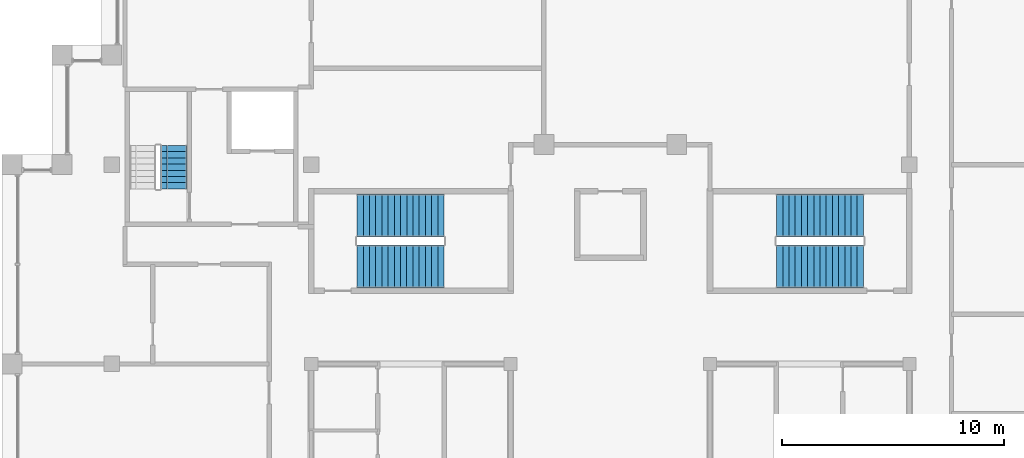
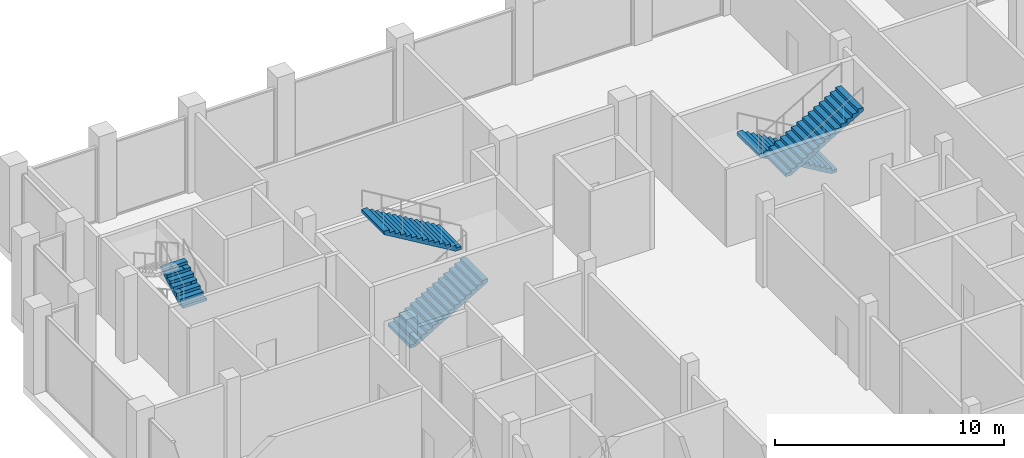
# One storey, part 11 of 12: 5 stair flights, 3 elements without a shape of their own.
"""IFC4 building model written with IfcOpenShell, lengths in metres."""

import ifcopenshell
import ifcopenshell.guid

model = None  # the IFC model being written
_history = None  # IfcOwnerHistory: only IFC2X3 demands one
_inside = {}  # id of a spatial element -> (the spatial element, [elements in it])
_under = {}  # id of a project, library or spatial element -> (it, [spatial elements below it])
_declared = {}  # id of a project -> (the project, [libraries it declares])
_typed = {}  # id of a type object -> (the type object, [elements of that type])
_made_of = {}  # id of a material, layer set ... -> (it, [elements and type objects made of it])


def new_model(schema):
    """Start an empty IFC model of exactly this schema.

    Asked for "IFC4X3", IfcOpenShell would pick the latest addendum, in which some entities
    have other attributes; the version numbers below select the first issue.
    IFC2X3 requires an IfcOwnerHistory on every rooted entity: one is made here for all.
    """
    global model, _history
    if schema == "IFC4X3":
        model = ifcopenshell.file(schema_version=(4, 3, 0, 0))
    else:
        model = ifcopenshell.file(schema=schema)
    _inside.clear()
    _under.clear()
    _declared.clear()
    _typed.clear()
    _made_of.clear()
    _history = None
    if model.schema == "IFC2X3":
        org = make("IfcOrganization", Name="unknown")
        user = make(
            "IfcPersonAndOrganization",
            ThePerson=make("IfcPerson", FamilyName="unknown"),
            TheOrganization=org,
        )
        app = make(
            "IfcApplication",
            ApplicationDeveloper=org,
            Version="unknown",
            ApplicationFullName="unknown",
            ApplicationIdentifier="unknown",
        )
        _history = make(
            "IfcOwnerHistory",
            OwningUser=user,
            OwningApplication=app,
            ChangeAction="ADDED",
            CreationDate=0,
        )
    return model


def make(cls, **values):
    """One entity of the class cls with the attributes given. An attribute that is None is left unset."""
    return model.create_entity(
        cls, **{name: value for name, value in values.items() if value is not None}
    )


def rooted(cls, **values):
    """An entity with a GlobalId (a new one), such as an element, a storey or a relation."""
    return make(cls, GlobalId=ifcopenshell.guid.new(), OwnerHistory=_history, **values)


def si_unit(unit_type, name, prefix=None):
    """IfcSIUnit, for example si_unit("LENGTHUNIT", "METRE", prefix="MILLI")."""
    return make("IfcSIUnit", UnitType=unit_type, Prefix=prefix, Name=name)


def assignment(units):
    """IfcUnitAssignment: the units of a project."""
    return None if units is None else make("IfcUnitAssignment", Units=units)


def point(xyz):
    """IfcCartesianPoint."""
    return None if xyz is None else make("IfcCartesianPoint", Coordinates=xyz)


def direction(xyz):
    """IfcDirection."""
    return None if xyz is None else make("IfcDirection", DirectionRatios=xyz)


def frame(location, z_axis=None, x_axis=None):
    """IfcAxis2Placement3D, a coordinate frame: its origin and axes. An axis left out is left unset."""
    return make(
        "IfcAxis2Placement3D",
        Location=point(location),
        Axis=direction(z_axis),
        RefDirection=direction(x_axis),
    )


def origin():
    """The frame at (0, 0, 0) with its axes left unset."""
    return frame((0.0, 0.0, 0.0))


def place(relative_to, where):
    """IfcLocalPlacement: puts the frame where relative to a parent placement (None: the world)."""
    return make(
        "IfcLocalPlacement", PlacementRelTo=relative_to, RelativePlacement=where
    )


def context(
    kind, dimensions, precision=None, world=None, true_north=None, identifier=None
):
    """IfcGeometricRepresentationContext, for example the 3D "Model" context."""
    return make(
        "IfcGeometricRepresentationContext",
        ContextIdentifier=identifier,
        ContextType=kind,
        CoordinateSpaceDimension=dimensions,
        Precision=precision,
        WorldCoordinateSystem=world,
        TrueNorth=true_north,
    )


def subcontext(parent, identifier, kind, view, scale=None):
    """IfcGeometricRepresentationSubContext, for example "Body" below "Model"."""
    return make(
        "IfcGeometricRepresentationSubContext",
        ContextIdentifier=identifier,
        ContextType=kind,
        ParentContext=parent,
        TargetScale=scale,
        TargetView=view,
    )


def project(units=None, contexts=None):
    """IfcProject with its units and contexts."""
    return rooted(
        "IfcProject",
        Name="project",
        RepresentationContexts=contexts,
        UnitsInContext=assignment(units),
    )


def spatial(cls, under=None, at=None, **own):
    """A site, building, storey or space (cls), placed at a placement, below another one or the project."""
    s = rooted(cls, ObjectPlacement=at, **own)
    if under is not None:
        _under.setdefault(under.id(), (under, []))[1].append(s)
    return s


def polyline(points):
    """IfcPolyline through the points."""
    return make("IfcPolyline", Points=[point(p) for p in points])


def outline(outer, holes=None, kind="AREA"):
    """IfcArbitraryClosedProfileDef: a profile drawn as a closed curve; with holes, ...WithVoids."""
    if holes is None:
        return make("IfcArbitraryClosedProfileDef", ProfileType=kind, OuterCurve=outer)
    return make(
        "IfcArbitraryProfileDefWithVoids",
        ProfileType=kind,
        OuterCurve=outer,
        InnerCurves=holes,
    )


def extrude(swept, where, along, depth):
    """IfcExtrudedAreaSolid: the profile swept, set in the frame where, extruded along a direction by depth."""
    return make(
        "IfcExtrudedAreaSolid",
        SweptArea=swept,
        Position=where,
        ExtrudedDirection=direction(along),
        Depth=depth,
    )


def shape(context_of_items, identifier, shape_type, items):
    """IfcShapeRepresentation: the items that make up one representation, for example the "Body"."""
    return make(
        "IfcShapeRepresentation",
        ContextOfItems=context_of_items,
        RepresentationIdentifier=identifier,
        RepresentationType=shape_type,
        Items=items,
    )


def material(Name=None, Category=None):
    """IfcMaterial."""
    return make("IfcMaterial", Name=Name, Category=Category)


def made_of(thing, what):
    """Note that an element or type object is made of a material, layer set ...; save() writes the relation."""
    if what is not None:
        _made_of.setdefault(what.id(), (what, []))[1].append(thing)
    return thing


def type_object(cls, material=None, **own):
    """A type object (cls), such as IfcWallType, which elements share."""
    return made_of(rooted(cls, **own), material)


def element(
    cls,
    number,
    at=None,
    inside=None,
    cuts=None,
    type_object=None,
    material=None,
    context=None,
    identifier="Body",
    shape_type=None,
    held_by="IfcProductDefinitionShape",
    body=None,
    shapes=None,
    **own,
):
    """One element of the class cls, such as IfcWall. Its Tag is "e" and its number.

    at: its placement. inside: the storey or other place that contains it. cuts: it is an
    opening in that element (IfcRelVoidsElement). A single representation is given by context,
    identifier, shape_type and body (its items); several are given by shapes. held_by: the class
    of the entity that holds the representations. save() writes the other relations.
    """
    e = rooted(cls, Tag="e%d" % number, ObjectPlacement=at, **own)
    if body is not None:
        shapes = [shape(context, identifier, shape_type, body)]
    if shapes is not None:
        e.Representation = make(held_by, Representations=shapes)
    if inside is not None:
        _inside.setdefault(inside.id(), (inside, []))[1].append(e)
    if cuts is not None:
        rooted(
            "IfcRelVoidsElement", RelatingBuildingElement=cuts, RelatedOpeningElement=e
        )
    if type_object is not None:
        _typed.setdefault(type_object.id(), (type_object, []))[1].append(e)
    return made_of(e, material)


def aggregate(whole, parts):
    """IfcRelAggregates: a whole, such as a stair, and the parts it consists of."""
    return rooted("IfcRelAggregates", RelatingObject=whole, RelatedObjects=parts)


def save(model, path):
    """Write the relations noted so far, then the file.

    IfcRelAggregates (storeys below a building ...), IfcRelContainedInSpatialStructure (elements
    in a storey), IfcRelDefinesByType, IfcRelAssociatesMaterial and IfcRelDeclares: one each for
    every whole, place, type object, material and project.
    """
    for whole, parts in _under.values():
        aggregate(whole, parts)
    for where, things in _inside.values():
        rooted(
            "IfcRelContainedInSpatialStructure",
            RelatedElements=things,
            RelatingStructure=where,
        )
    for kind, things in _typed.values():
        rooted("IfcRelDefinesByType", RelatedObjects=things, RelatingType=kind)
    for what, things in _made_of.values():
        rooted("IfcRelAssociatesMaterial", RelatedObjects=things, RelatingMaterial=what)
    for by, libraries in _declared.values():
        rooted("IfcRelDeclares", RelatingContext=by, RelatedDefinitions=libraries)
    model.write(path)


model = new_model("IFC4")

# Units and contexts
model_context = context("Model", 3, precision=1e-05, world=origin(), true_north=direction((0.0, 1.0)))
body_context = subcontext(model_context, "Body", "Model", "MODEL_VIEW")
ifc_project = project(units=[si_unit("LENGTHUNIT", "METRE"), si_unit("AREAUNIT", "SQUARE_METRE"), si_unit("VOLUMEUNIT", "CUBIC_METRE"), si_unit("PLANEANGLEUNIT", "RADIAN"), si_unit("MASSUNIT", "GRAM", prefix="KILO")], contexts=[model_context])

# Site, building, storey
site_placement = place(None, origin())
site = spatial("IfcSite", under=ifc_project, at=site_placement, CompositionType="ELEMENT")
building_placement = place(site_placement, origin())
building = spatial("IfcBuilding", under=site, at=building_placement, Name="Corbelhall Arena Tower", CompositionType="ELEMENT")
storey_placement = place(building_placement, frame((0.0, 0.0, 356.0)))
storey = spatial("IfcBuildingStorey", under=building, at=storey_placement, Name="L78", CompositionType="ELEMENT", Elevation=356.0)

# Stair, stair flights
ifc_material = material(Name="Concrete C40/50", Category="concrete")
stair_type = type_object("IfcStairType", Name="IN-ST-TOWER", PredefinedType="HALF_TURN_STAIR", material=ifc_material)
stair_1_placement = place(storey_placement, origin())
stair_1 = element("IfcStair", 1, at=stair_1_placement, inside=storey, type_object=stair_type, Name="L78 Exit stair ST1", PredefinedType="HALF_TURN_STAIR")
stair_flight_type = type_object("IfcStairFlightType", Name="IN-SFL-RC", PredefinedType="STRAIGHT", material=ifc_material)
stair_flight_1_placement = place(storey_placement, frame((-11.425048828125, 13.39990234375, 0.0), z_axis=(0.0, 0.0, 1.0), x_axis=(1.0, 0.0, 0.0)))
stair_flight_1 = element("IfcStairFlight", 2, at=stair_flight_1_placement, type_object=stair_flight_type, Name="ST1 flight 1", NumberOfRisers=15, NumberOfTreads=14, PredefinedType="STRAIGHT", RiserHeight=0.166666667, TreadLength=0.28, context=body_context, shape_type="SweptSolid", body=[
    extrude(outline(polyline([(0.0, 0.0), (0.0, 0.166748046875), (0.280029296875, 0.166748046875), (0.280029296875, 0.333251953125), (0.56005859375, 0.333251953125), (0.56005859375, 0.5), (0.840087890625, 0.5), (0.840087890625, 0.666748046875), (1.1201171875, 0.666748046875), (1.1201171875, 0.833251953125), (1.39990234375, 0.833251953125), (1.39990234375, 1.0), (1.679931640625, 1.0), (1.679931640625, 1.166748046875), (1.9599609375, 1.166748046875), (1.9599609375, 1.333251953125), (2.239990234375, 1.333251953125), (2.239990234375, 1.5), (2.52001953125, 1.5), (2.52001953125, 1.666748046875), (2.800048828125, 1.666748046875), (2.800048828125, 1.833251953125), (3.080078125, 1.833251953125), (3.080078125, 2.0), (3.360107421875, 2.0), (3.360107421875, 2.166748046875), (3.639892578125, 2.166748046875), (3.639892578125, 2.333251953125), (3.919921875, 2.333251953125), (3.919921875, 2.5), (3.919921875, 2.158935546875), (0.29296875, 0.0), (0.0, 0.0)])), frame((0.0, 0.97509765625, 0.0), z_axis=(0.0, -1.0, 0.0), x_axis=(1.0, 0.0, 0.0)), (0.0, 0.0, 1.0), 1.949951171875),
])
stair_flight_2_placement = place(storey_placement, frame((-7.5048828125, 15.699951171875, 2.5), z_axis=(0.0, 0.0, 1.0), x_axis=(-1.0, 0.0, 0.0)))
stair_flight_2 = element("IfcStairFlight", 3, at=stair_flight_2_placement, type_object=stair_flight_type, Name="ST1 flight 2", NumberOfRisers=15, NumberOfTreads=14, PredefinedType="STRAIGHT", RiserHeight=0.166666667, TreadLength=0.28, context=body_context, shape_type="SweptSolid", body=[
    extrude(outline(polyline([(0.0, 0.0), (0.0, 0.166748046875), (0.280029296875, 0.166748046875), (0.280029296875, 0.333251953125), (0.56005859375, 0.333251953125), (0.56005859375, 0.5), (0.840087890625, 0.5), (0.840087890625, 0.666748046875), (1.1201171875, 0.666748046875), (1.1201171875, 0.833251953125), (1.39990234375, 0.833251953125), (1.39990234375, 1.0), (1.679931640625, 1.0), (1.679931640625, 1.166748046875), (1.9599609375, 1.166748046875), (1.9599609375, 1.333251953125), (2.239990234375, 1.333251953125), (2.239990234375, 1.5), (2.52001953125, 1.5), (2.52001953125, 1.666748046875), (2.800048828125, 1.666748046875), (2.800048828125, 1.833251953125), (3.080078125, 1.833251953125), (3.080078125, 2.0), (3.360107421875, 2.0), (3.360107421875, 2.166748046875), (3.639892578125, 2.166748046875), (3.639892578125, 2.333251953125), (3.919921875, 2.333251953125), (3.919921875, 2.5), (3.919921875, 2.158935546875), (0.29296875, 0.0), (0.0, 0.0)])), frame((0.0, 0.97509765625, 0.0), z_axis=(0.0, -1.0, 0.0), x_axis=(1.0, 0.0, 0.0)), (0.0, 0.0, 1.0), 1.949951171875),
])
aggregate(stair_1, [stair_flight_1, stair_flight_2])

stair_2_placement = place(storey_placement, origin())
stair_2 = element("IfcStair", 4, at=stair_2_placement, inside=storey, type_object=stair_type, Name="L78 Exit stair ST3", PredefinedType="HALF_TURN_STAIR")
stair_flight_3_placement = place(storey_placement, frame((11.425048828125, 15.699951171875, 0.0), z_axis=(0.0, 0.0, 1.0), x_axis=(-1.0, 0.0, 0.0)))
stair_flight_3 = element("IfcStairFlight", 5, at=stair_flight_3_placement, type_object=stair_flight_type, Name="ST3 flight 1", NumberOfRisers=15, NumberOfTreads=14, PredefinedType="STRAIGHT", RiserHeight=0.166666667, TreadLength=0.28, context=body_context, shape_type="SweptSolid", body=[
    extrude(outline(polyline([(0.0, 0.0), (0.0, 0.166748046875), (0.280029296875, 0.166748046875), (0.280029296875, 0.333251953125), (0.56005859375, 0.333251953125), (0.56005859375, 0.5), (0.840087890625, 0.5), (0.840087890625, 0.666748046875), (1.1201171875, 0.666748046875), (1.1201171875, 0.833251953125), (1.39990234375, 0.833251953125), (1.39990234375, 1.0), (1.679931640625, 1.0), (1.679931640625, 1.166748046875), (1.9599609375, 1.166748046875), (1.9599609375, 1.333251953125), (2.239990234375, 1.333251953125), (2.239990234375, 1.5), (2.52001953125, 1.5), (2.52001953125, 1.666748046875), (2.800048828125, 1.666748046875), (2.800048828125, 1.833251953125), (3.080078125, 1.833251953125), (3.080078125, 2.0), (3.360107421875, 2.0), (3.360107421875, 2.166748046875), (3.639892578125, 2.166748046875), (3.639892578125, 2.333251953125), (3.919921875, 2.333251953125), (3.919921875, 2.5), (3.919921875, 2.158935546875), (0.29296875, 0.0), (0.0, 0.0)])), frame((0.0, 0.97509765625, 0.0), z_axis=(0.0, -1.0, 0.0), x_axis=(1.0, 0.0, 0.0)), (0.0, 0.0, 1.0), 1.949951171875),
])
stair_flight_4_placement = place(storey_placement, frame((7.5048828125, 13.39990234375, 2.5), z_axis=(0.0, 0.0, 1.0), x_axis=(1.0, 0.0, 0.0)))
stair_flight_4 = element("IfcStairFlight", 6, at=stair_flight_4_placement, type_object=stair_flight_type, Name="ST3 flight 2", NumberOfRisers=15, NumberOfTreads=14, PredefinedType="STRAIGHT", RiserHeight=0.166666667, TreadLength=0.28, context=body_context, shape_type="SweptSolid", body=[
    extrude(outline(polyline([(0.0, 0.0), (0.0, 0.166748046875), (0.280029296875, 0.166748046875), (0.280029296875, 0.333251953125), (0.56005859375, 0.333251953125), (0.56005859375, 0.5), (0.840087890625, 0.5), (0.840087890625, 0.666748046875), (1.1201171875, 0.666748046875), (1.1201171875, 0.833251953125), (1.39990234375, 0.833251953125), (1.39990234375, 1.0), (1.679931640625, 1.0), (1.679931640625, 1.166748046875), (1.9599609375, 1.166748046875), (1.9599609375, 1.333251953125), (2.239990234375, 1.333251953125), (2.239990234375, 1.5), (2.52001953125, 1.5), (2.52001953125, 1.666748046875), (2.800048828125, 1.666748046875), (2.800048828125, 1.833251953125), (3.080078125, 1.833251953125), (3.080078125, 2.0), (3.360107421875, 2.0), (3.360107421875, 2.166748046875), (3.639892578125, 2.166748046875), (3.639892578125, 2.333251953125), (3.919921875, 2.333251953125), (3.919921875, 2.5), (3.919921875, 2.158935546875), (0.29296875, 0.0), (0.0, 0.0)])), frame((0.0, 0.97509765625, 0.0), z_axis=(0.0, -1.0, 0.0), x_axis=(1.0, 0.0, 0.0)), (0.0, 0.0, 1.0), 1.949951171875),
])
aggregate(stair_2, [stair_flight_3, stair_flight_4])

# Stair, stair flight
stair_3_placement = place(storey_placement, origin())
stair_3 = element("IfcStair", 7, at=stair_3_placement, inside=storey, type_object=stair_type, Name="L78 Exit stair ST5", PredefinedType="HALF_TURN_STAIR")
stair_flight_5_placement = place(storey_placement, frame((-19.695068359375, 16.89990234375, 2.5), z_axis=(0.0, 0.0, 1.0), x_axis=(0.0, 1.0, 0.0)))
stair_flight_5 = element("IfcStairFlight", 8, at=stair_flight_5_placement, type_object=stair_flight_type, Name="ST5 flight 3", NumberOfRisers=8, NumberOfTreads=7, PredefinedType="STRAIGHT", RiserHeight=0.15625, TreadLength=0.28, context=body_context, shape_type="SweptSolid", body=[
    extrude(outline(polyline([(0.0, 0.0), (0.0, 0.15625), (0.280029296875, 0.15625), (0.280029296875, 0.3125), (0.56005859375, 0.3125), (0.56005859375, 0.46875), (0.840087890625, 0.46875), (0.840087890625, 0.625), (1.1201171875, 0.625), (1.1201171875, 0.78125), (1.39990234375, 0.78125), (1.39990234375, 0.9375), (1.679931640625, 0.9375), (1.679931640625, 1.09375), (1.9599609375, 1.09375), (1.9599609375, 1.25), (1.9599609375, 0.922119140625), (0.3076171875, 0.0), (0.0, 0.0)])), frame((0.0, 0.60009765625, 0.0), z_axis=(0.0, -1.0, 0.0), x_axis=(1.0, 0.0, 0.0)), (0.0, 0.0, 1.0), 0.300048828125),
    extrude(outline(polyline([(0.0, 0.0), (0.0, 0.15625), (0.280029296875, 0.15625), (0.280029296875, 0.3125), (0.56005859375, 0.3125), (0.56005859375, 0.46875), (0.840087890625, 0.46875), (0.840087890625, 0.625), (1.1201171875, 0.625), (1.1201171875, 0.78125), (1.39990234375, 0.78125), (1.39990234375, 0.9375), (1.679931640625, 0.9375), (1.679931640625, 1.09375), (1.9599609375, 1.09375), (1.9599609375, 1.25), (1.9599609375, 0.922119140625), (0.3076171875, 0.0), (0.0, 0.0)])), frame((0.0, 0.2958984375, 0.0), z_axis=(0.0, -1.0, 0.0), x_axis=(1.0, 0.0, 0.0)), (0.0, 0.0, 1.0), 0.592041015625),
    extrude(outline(polyline([(0.0, 0.0), (0.0, 0.15625), (0.280029296875, 0.15625), (0.280029296875, 0.3125), (0.56005859375, 0.3125), (0.56005859375, 0.46875), (0.840087890625, 0.46875), (0.840087890625, 0.625), (1.1201171875, 0.625), (1.1201171875, 0.78125), (1.39990234375, 0.78125), (1.39990234375, 0.9375), (1.679931640625, 0.9375), (1.679931640625, 1.09375), (1.9599609375, 1.09375), (1.9599609375, 1.25), (1.9599609375, 0.922119140625), (0.3076171875, 0.0), (0.0, 0.0)])), frame((0.0, -0.300048828125, 0.0), z_axis=(0.0, -1.0, 0.0), x_axis=(1.0, 0.0, 0.0)), (0.0, 0.0, 1.0), 0.300048828125),
])
aggregate(stair_3, [stair_flight_5])

save(model, "model.ifc")
